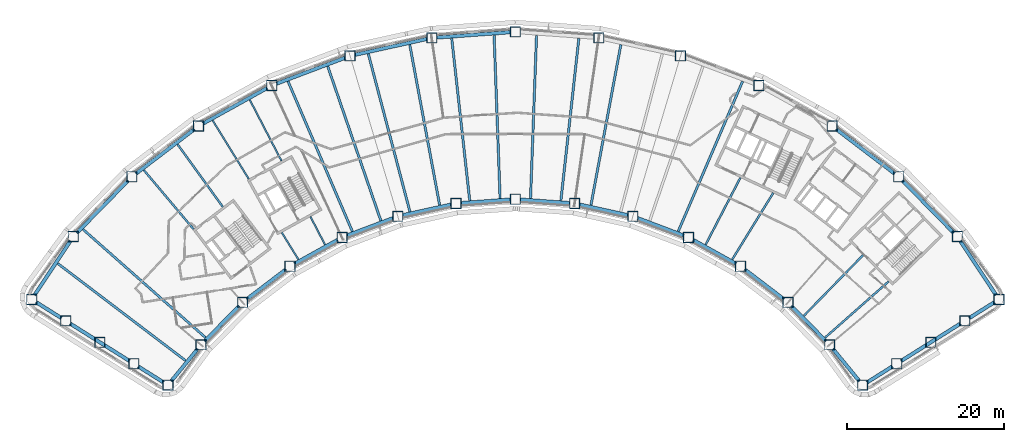
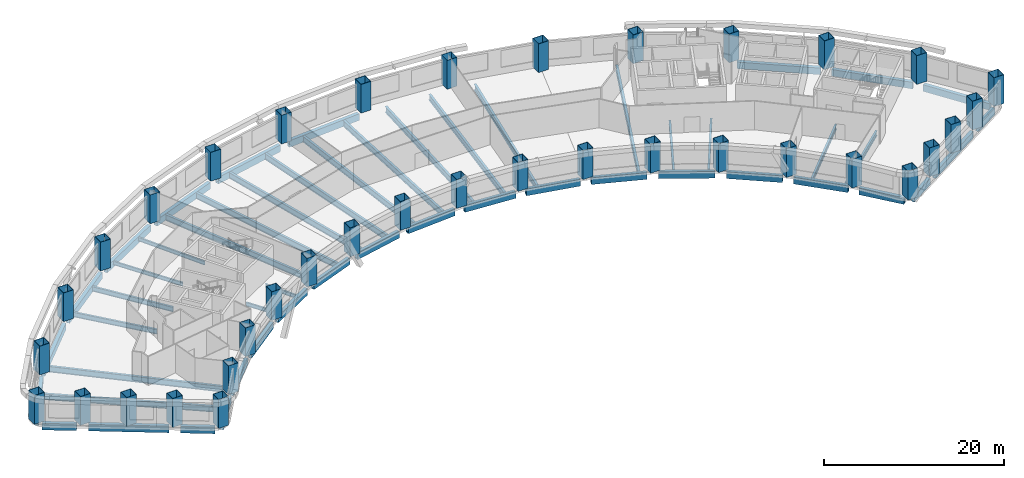
# One storey, part 1 of 14: 52 beams, 36 columns.
"""IFC4 building model written with IfcOpenShell, lengths in metres."""

import ifcopenshell
import ifcopenshell.guid

model = None  # the IFC model being written
_history = None  # IfcOwnerHistory: only IFC2X3 demands one
_inside = {}  # id of a spatial element -> (the spatial element, [elements in it])
_under = {}  # id of a project, library or spatial element -> (it, [spatial elements below it])
_declared = {}  # id of a project -> (the project, [libraries it declares])
_typed = {}  # id of a type object -> (the type object, [elements of that type])
_made_of = {}  # id of a material, layer set ... -> (it, [elements and type objects made of it])


def new_model(schema):
    """Start an empty IFC model of exactly this schema.

    Asked for "IFC4X3", IfcOpenShell would pick the latest addendum, in which some entities
    have other attributes; the version numbers below select the first issue.
    IFC2X3 requires an IfcOwnerHistory on every rooted entity: one is made here for all.
    """
    global model, _history
    if schema == "IFC4X3":
        model = ifcopenshell.file(schema_version=(4, 3, 0, 0))
    else:
        model = ifcopenshell.file(schema=schema)
    _inside.clear()
    _under.clear()
    _declared.clear()
    _typed.clear()
    _made_of.clear()
    _history = None
    if model.schema == "IFC2X3":
        org = make("IfcOrganization", Name="unknown")
        user = make(
            "IfcPersonAndOrganization",
            ThePerson=make("IfcPerson", FamilyName="unknown"),
            TheOrganization=org,
        )
        app = make(
            "IfcApplication",
            ApplicationDeveloper=org,
            Version="unknown",
            ApplicationFullName="unknown",
            ApplicationIdentifier="unknown",
        )
        _history = make(
            "IfcOwnerHistory",
            OwningUser=user,
            OwningApplication=app,
            ChangeAction="ADDED",
            CreationDate=0,
        )
    return model


def make(cls, **values):
    """One entity of the class cls with the attributes given. An attribute that is None is left unset."""
    return model.create_entity(
        cls, **{name: value for name, value in values.items() if value is not None}
    )


def rooted(cls, **values):
    """An entity with a GlobalId (a new one), such as an element, a storey or a relation."""
    return make(cls, GlobalId=ifcopenshell.guid.new(), OwnerHistory=_history, **values)


def si_unit(unit_type, name, prefix=None):
    """IfcSIUnit, for example si_unit("LENGTHUNIT", "METRE", prefix="MILLI")."""
    return make("IfcSIUnit", UnitType=unit_type, Prefix=prefix, Name=name)


def assignment(units):
    """IfcUnitAssignment: the units of a project."""
    return None if units is None else make("IfcUnitAssignment", Units=units)


def point(xyz):
    """IfcCartesianPoint."""
    return None if xyz is None else make("IfcCartesianPoint", Coordinates=xyz)


def direction(xyz):
    """IfcDirection."""
    return None if xyz is None else make("IfcDirection", DirectionRatios=xyz)


def frame(location, z_axis=None, x_axis=None):
    """IfcAxis2Placement3D, a coordinate frame: its origin and axes. An axis left out is left unset."""
    return make(
        "IfcAxis2Placement3D",
        Location=point(location),
        Axis=direction(z_axis),
        RefDirection=direction(x_axis),
    )


def frame_2d(location, x_axis=None):
    """IfcAxis2Placement2D, a coordinate frame in the plane: its origin and x axis."""
    return make(
        "IfcAxis2Placement2D", Location=point(location), RefDirection=direction(x_axis)
    )


def origin():
    """The frame at (0, 0, 0) with its axes left unset."""
    return frame((0.0, 0.0, 0.0))


def origin_2d():
    """The frame at (0, 0) in the plane with its x axis left unset."""
    return frame_2d((0.0, 0.0))


def place(relative_to, where):
    """IfcLocalPlacement: puts the frame where relative to a parent placement (None: the world)."""
    return make(
        "IfcLocalPlacement", PlacementRelTo=relative_to, RelativePlacement=where
    )


def context(
    kind, dimensions, precision=None, world=None, true_north=None, identifier=None
):
    """IfcGeometricRepresentationContext, for example the 3D "Model" context."""
    return make(
        "IfcGeometricRepresentationContext",
        ContextIdentifier=identifier,
        ContextType=kind,
        CoordinateSpaceDimension=dimensions,
        Precision=precision,
        WorldCoordinateSystem=world,
        TrueNorth=true_north,
    )


def subcontext(parent, identifier, kind, view, scale=None):
    """IfcGeometricRepresentationSubContext, for example "Body" below "Model"."""
    return make(
        "IfcGeometricRepresentationSubContext",
        ContextIdentifier=identifier,
        ContextType=kind,
        ParentContext=parent,
        TargetScale=scale,
        TargetView=view,
    )


def project(units=None, contexts=None):
    """IfcProject with its units and contexts."""
    return rooted(
        "IfcProject",
        Name="project",
        RepresentationContexts=contexts,
        UnitsInContext=assignment(units),
    )


def spatial(cls, under=None, at=None, **own):
    """A site, building, storey or space (cls), placed at a placement, below another one or the project."""
    s = rooted(cls, ObjectPlacement=at, **own)
    if under is not None:
        _under.setdefault(under.id(), (under, []))[1].append(s)
    return s


def profile(cls, at=None, kind="AREA", **sizes):
    """A parametric profile (cls). Its sizes go by their IFC names, for example OverallWidth=200.0."""
    return make(cls, ProfileType=kind, Position=at, **sizes)


def hollow_rectangle(**sizes):
    """IfcRectangleHollowProfileDef."""
    return profile("IfcRectangleHollowProfileDef", **sizes)


def i_section(**sizes):
    """IfcIShapeProfileDef."""
    return profile("IfcIShapeProfileDef", **sizes)


def extrude(swept, where, along, depth):
    """IfcExtrudedAreaSolid: the profile swept, set in the frame where, extruded along a direction by depth."""
    return make(
        "IfcExtrudedAreaSolid",
        SweptArea=swept,
        Position=where,
        ExtrudedDirection=direction(along),
        Depth=depth,
    )


def shape(context_of_items, identifier, shape_type, items):
    """IfcShapeRepresentation: the items that make up one representation, for example the "Body"."""
    return make(
        "IfcShapeRepresentation",
        ContextOfItems=context_of_items,
        RepresentationIdentifier=identifier,
        RepresentationType=shape_type,
        Items=items,
    )


def material(Name=None, Category=None):
    """IfcMaterial."""
    return make("IfcMaterial", Name=Name, Category=Category)


def material_profile(
    of_material, cross_section, Name=None, Category=None, Priority=None
):
    """IfcMaterialProfile: a cross section and its material."""
    return make(
        "IfcMaterialProfile",
        Name=Name,
        Material=of_material,
        Profile=cross_section,
        Priority=Priority,
        Category=Category,
    )


def profile_set(profiles, Name=None, composite=None):
    """IfcMaterialProfileSet."""
    return make(
        "IfcMaterialProfileSet",
        Name=Name,
        MaterialProfiles=profiles,
        CompositeProfile=composite,
    )


def made_of(thing, what):
    """Note that an element or type object is made of a material, layer set ...; save() writes the relation."""
    if what is not None:
        _made_of.setdefault(what.id(), (what, []))[1].append(thing)
    return thing


def type_object(cls, material=None, **own):
    """A type object (cls), such as IfcWallType, which elements share."""
    return made_of(rooted(cls, **own), material)


def element(
    cls,
    number,
    at=None,
    inside=None,
    cuts=None,
    type_object=None,
    material=None,
    context=None,
    identifier="Body",
    shape_type=None,
    held_by="IfcProductDefinitionShape",
    body=None,
    shapes=None,
    **own,
):
    """One element of the class cls, such as IfcWall. Its Tag is "e" and its number.

    at: its placement. inside: the storey or other place that contains it. cuts: it is an
    opening in that element (IfcRelVoidsElement). A single representation is given by context,
    identifier, shape_type and body (its items); several are given by shapes. held_by: the class
    of the entity that holds the representations. save() writes the other relations.
    """
    e = rooted(cls, Tag="e%d" % number, ObjectPlacement=at, **own)
    if body is not None:
        shapes = [shape(context, identifier, shape_type, body)]
    if shapes is not None:
        e.Representation = make(held_by, Representations=shapes)
    if inside is not None:
        _inside.setdefault(inside.id(), (inside, []))[1].append(e)
    if cuts is not None:
        rooted(
            "IfcRelVoidsElement", RelatingBuildingElement=cuts, RelatedOpeningElement=e
        )
    if type_object is not None:
        _typed.setdefault(type_object.id(), (type_object, []))[1].append(e)
    return made_of(e, material)


def aggregate(whole, parts):
    """IfcRelAggregates: a whole, such as a stair, and the parts it consists of."""
    return rooted("IfcRelAggregates", RelatingObject=whole, RelatedObjects=parts)


def save(model, path):
    """Write the relations noted so far, then the file.

    IfcRelAggregates (storeys below a building ...), IfcRelContainedInSpatialStructure (elements
    in a storey), IfcRelDefinesByType, IfcRelAssociatesMaterial and IfcRelDeclares: one each for
    every whole, place, type object, material and project.
    """
    for whole, parts in _under.values():
        aggregate(whole, parts)
    for where, things in _inside.values():
        rooted(
            "IfcRelContainedInSpatialStructure",
            RelatedElements=things,
            RelatingStructure=where,
        )
    for kind, things in _typed.values():
        rooted("IfcRelDefinesByType", RelatedObjects=things, RelatingType=kind)
    for what, things in _made_of.values():
        rooted("IfcRelAssociatesMaterial", RelatedObjects=things, RelatingMaterial=what)
    for by, libraries in _declared.values():
        rooted("IfcRelDeclares", RelatingContext=by, RelatedDefinitions=libraries)
    model.write(path)


model = new_model("IFC4")

# Units and contexts
model_context = context("Model", 3, precision=1e-05, world=origin(), true_north=direction((0.0, 1.0)))
body_context = subcontext(model_context, "Body", "Model", "MODEL_VIEW")
ifc_project = project(units=[si_unit("LENGTHUNIT", "METRE"), si_unit("AREAUNIT", "SQUARE_METRE"), si_unit("VOLUMEUNIT", "CUBIC_METRE"), si_unit("PLANEANGLEUNIT", "RADIAN"), si_unit("MASSUNIT", "GRAM", prefix="KILO")], contexts=[model_context])

# Site, building, storey
site_placement = place(None, origin())
site = spatial("IfcSite", under=ifc_project, at=site_placement, CompositionType="ELEMENT")
building_placement = place(site_placement, origin())
building = spatial("IfcBuilding", under=site, at=building_placement, Name="Tuul Gate Civic Tower", CompositionType="ELEMENT")
storey_placement = place(building_placement, frame((0.0, 0.0, 44.10009765625)))
storey = spatial("IfcBuildingStorey", under=building, at=storey_placement, Name="Level 09", CompositionType="ELEMENT", Elevation=44.10009765625)

# Columns
ifc_material_1 = material(Name="Steel S355", Category="steel")
ifc_material_profile_1 = material_profile(ifc_material_1, hollow_rectangle(XDim=1.300048828125, YDim=1.300048828125, WallThickness=0.0400390625, at=origin_2d()), Name="BOX1300x1300x40")
ifc_profile_set_1 = profile_set([ifc_material_profile_1], Name="Steel S355")
column_type = type_object("IfcColumnType", Name="STR-COLUMN-BOX1300x1300x40", PredefinedType="COLUMN", material=ifc_profile_set_1)
for number, where, z_axis, x_axis, name in (
    (1, (61.6708984375, -20.22998046875, 0.0), (0.0, 0.0, 1.0), (1.0, 0.0, 0.0), "Column"),
    (2, (56.3720703125, -12.217041015625, 0.0), (0.0, 0.0, 1.0), (1.0, 0.0, 0.0), "Column"),
    (3, (48.89794921875, -4.592041015625, 0.0), (0.0, 0.0, 1.0), (1.0, 0.0, 0.0), "Column"),
    (4, (40.402099609375, 1.8759765625, 0.0), (0.0, 0.0, 1.0), (1.0, 0.0, 0.0), "Column"),
    (5, (31.06396484375, 7.052001953125, 0.0), (0.0, 0.0, 1.0), (1.0, 0.0, 0.0), "Column"),
    (6, (21.076904296875, 10.8291015625, 0.0), (0.0, 0.0, 1.0), (1.0, 0.0, 0.0), "Column"),
    (7, (10.64892578125, 13.126953125, 0.0), (0.0, 0.0, 1.0), (1.0, 0.0, 0.0), "Column"),
    (8, (0.0, 13.89794921875, 0.0), (0.0, 0.0, 1.0), (1.0, 0.0, 0.0), "Column"),
    (9, (-10.64892578125, 13.126953125, 0.0), (0.0, 0.0, 1.0), (1.0, 0.0, 0.0), "Column"),
    (10, (-21.076904296875, 10.8291015625, 0.0), (0.0, 0.0, 1.0), (1.0, 0.0, 0.0), "Column"),
    (11, (-31.06396484375, 7.052001953125, 0.0), (0.0, 0.0, 1.0), (1.0, 0.0, 0.0), "Column"),
    (12, (-40.402099609375, 1.8759765625, 0.0), (0.0, 0.0, 1.0), (1.0, 0.0, 0.0), "Column"),
    (13, (-48.89794921875, -4.592041015625, 0.0), (0.0, 0.0, 1.0), (1.0, 0.0, 0.0), "Column"),
    (14, (-56.3720703125, -12.217041015625, 0.0), (0.0, 0.0, 1.0), (1.0, 0.0, 0.0), "Column"),
    (15, (-61.6708984375, -20.22998046875, 0.0), (0.0, 0.0, 1.0), (1.0, 0.0, 0.0), "Column"),
    (16, (-57.327880859375, -22.964111328125, 0.0), (0.0, 0.0, 1.0), (1.0, 0.0, 0.0), "Column"),
    (17, (-52.986083984375, -25.698974609375, 0.0), (0.0, 0.0, 1.0), (1.0, 0.0, 0.0), "Column"),
    (18, (-48.64306640625, -28.43408203125, 0.0), (0.0, 0.0, 1.0), (1.0, 0.0, 0.0), "Column"),
    (19, (-44.301025390625, -31.16796875, 0.0), (0.0, 0.0, 1.0), (1.0, 0.0, 0.0), "Column"),
    (20, (-40.0810546875, -26.02587890625, 0.0), (0.0, 0.0, 1.0), (1.0, 0.0, 0.0), "Column"),
    (21, (-34.76708984375, -20.60498046875, 0.0), (0.0, 0.0, 1.0), (1.0, 0.0, 0.0), "Column"),
    (22, (-28.72705078125, -16.006103515625, 0.0), (0.0, 0.0, 1.0), (1.0, 0.0, 0.0), "Column"),
    (23, (-22.0869140625, -12.324951171875, 0.0), (0.0, 0.0, 1.0), (1.0, 0.0, 0.0), "Column"),
    (24, (-14.986083984375, -9.639892578125, 0.0), (0.0, 0.0, 1.0), (1.0, 0.0, 0.0), "Column"),
    (25, (-7.572021484375, -8.006103515625, 0.0), (0.0, 0.0, 1.0), (1.0, 0.0, 0.0), "Column"),
    (26, (0.0, -7.45703125, 0.0), (0.0, 0.0, 1.0), (1.0, 0.0, 0.0), "Column"),
    (27, (7.572021484375, -8.006103515625, 0.0), (0.0, 0.0, 1.0), (1.0, 0.0, 0.0), "Column"),
    (28, (14.986083984375, -9.639892578125, 0.0), (0.0, 0.0, 1.0), (1.0, 0.0, 0.0), "Column"),
    (29, (22.0869140625, -12.324951171875, 0.0), (0.0, 0.0, 1.0), (1.0, 0.0, 0.0), "Column"),
    (30, (28.72705078125, -16.006103515625, 0.0), (0.0, 0.0, 1.0), (1.0, 0.0, 0.0), "Column"),
    (31, (34.76708984375, -20.60498046875, 0.0), (0.0, 0.0, 1.0), (1.0, 0.0, 0.0), "Column"),
    (32, (40.0810546875, -26.02587890625, 0.0), (0.0, 0.0, 1.0), (1.0, 0.0, 0.0), "Column"),
    (33, (44.301025390625, -31.16796875, 0.0), (0.0, 0.0, 1.0), (1.0, 0.0, 0.0), "Column"),
    (34, (48.64306640625, -28.43408203125, 0.0), (0.0, 0.0, 1.0), (1.0, 0.0, 0.0), "Column"),
    (35, (52.986083984375, -25.698974609375, 0.0), (0.0, 0.0, 1.0), (1.0, 0.0, 0.0), "Column"),
    (36, (57.327880859375, -22.964111328125, 0.0), (0.0, 0.0, 1.0), (1.0, 0.0, 0.0), "Column"),
):
    element("IfcColumn", number, at=place(storey_placement, frame(where, z_axis=z_axis, x_axis=x_axis)), inside=storey, type_object=column_type, Name=name, PredefinedType="COLUMN", context=body_context, shape_type="SweptSolid", body=[
        extrude(hollow_rectangle(XDim=1.300048828125, YDim=1.300048828125, WallThickness=0.0400390625, at=origin_2d()), origin(), (0.0, 0.0, 1.0), 3.89990234375),
    ])

# Beams
ifc_material_2 = material(Name="Steel S355", Category="steel")
ifc_material_profile_2 = material_profile(ifc_material_2, i_section(OverallWidth=0.199951171875, OverallDepth=0.5, WebThickness=0.010009765625, FlangeThickness=0.01611328125, at=origin_2d()), Name="PG500x200x10x16")
ifc_profile_set_2 = profile_set([ifc_material_profile_2], Name="Steel S355")
beam_type_1 = type_object("IfcBeamType", Name="STR-FLOOR BEAM-PG500x200x10x16", PredefinedType="BEAM", material=ifc_profile_set_2)
beam_1_placement = place(storey_placement, frame((-24.271484375, -13.25, -0.550048828125), z_axis=(-0.460753800017, 0.887527991541, 0.0), x_axis=(-0.887527991541, -0.460753800017, 0.0)))
element("IfcBeam", 37, at=beam_1_placement, inside=storey, type_object=beam_type_1, Name="Floor beam", PredefinedType="BEAM", context=body_context, shape_type="SweptSolid", body=[
    extrude(i_section(OverallWidth=0.199951171875, OverallDepth=0.5, WebThickness=0.010009765625, FlangeThickness=0.01611328125, at=origin_2d()), origin(), (0.0, 0.0, 1.0), 4.03076171875),
])
beam_2_placement = place(storey_placement, frame((-29.816162109375, -2.570068359375, -0.550048828125), z_axis=(-0.460796303888, 0.887505924669, 0.0), x_axis=(-0.887505924669, -0.460796303888, 0.0)))
element("IfcBeam", 38, at=beam_2_placement, inside=storey, type_object=beam_type_1, Name="Floor beam", PredefinedType="BEAM", context=body_context, shape_type="SweptSolid", body=[
    extrude(i_section(OverallWidth=0.199951171875, OverallDepth=0.5, WebThickness=0.010009765625, FlangeThickness=0.01611328125, at=origin_2d()), origin(), (0.0, 0.0, 1.0), 8.77392578125),
])
beam_3_placement = place(storey_placement, frame((-27.666015625, -15.132080078125, -0.550048828125), z_axis=(-0.52482658642, 0.851209171818, 0.0), x_axis=(-0.851209171818, -0.52482658642, 0.0)))
element("IfcBeam", 39, at=beam_3_placement, inside=storey, type_object=beam_type_1, Name="Floor beam", PredefinedType="BEAM", context=body_context, shape_type="SweptSolid", body=[
    extrude(i_section(OverallWidth=0.199951171875, OverallDepth=0.5, WebThickness=0.010009765625, FlangeThickness=0.01611328125, at=origin_2d()), origin(), (0.0, 0.0, 1.0), 4.0341796875),
])
beam_4_placement = place(storey_placement, frame((-33.986572265625, -4.881591796875, -0.550048828125), z_axis=(-0.524852775892, 0.851193023725, 0.0), x_axis=(-0.851193023725, -0.524852775892, 0.0)))
element("IfcBeam", 40, at=beam_4_placement, inside=storey, type_object=beam_type_1, Name="Floor beam", PredefinedType="BEAM", context=body_context, shape_type="SweptSolid", body=[
    extrude(i_section(OverallWidth=0.199951171875, OverallDepth=0.5, WebThickness=0.010009765625, FlangeThickness=0.01611328125, at=origin_2d()), origin(), (0.0, 0.0, 1.0), 8.77978515625),
])
ifc_material_3 = material(Name="Steel S355", Category="steel")
ifc_material_profile_3 = material_profile(ifc_material_3, i_section(OverallWidth=0.25, OverallDepth=0.64990234375, WebThickness=0.011962890625, FlangeThickness=0.02001953125, at=origin_2d()), Name="PG650x250x12x20")
ifc_profile_set_3 = profile_set([ifc_material_profile_3], Name="Steel S355")
beam_type_2 = type_object("IfcBeamType", Name="STR-FLOOR BEAM-PG650x250x12x20", PredefinedType="BEAM", material=ifc_profile_set_3)
beam_5_placement = place(storey_placement, frame((39.515625, -25.092041015625, -0.625), z_axis=(0.749453803996, 0.662056640836, 0.0), x_axis=(-0.662056640836, 0.749453803996, 0.0)))
element("IfcBeam", 41, at=beam_5_placement, inside=storey, type_object=beam_type_2, Name="Floor beam", PredefinedType="BEAM", context=body_context, shape_type="SweptSolid", body=[
    extrude(i_section(OverallWidth=0.25, OverallDepth=0.64990234375, WebThickness=0.011962890625, FlangeThickness=0.02001953125, at=origin_2d()), origin(), (0.0, 0.0, 1.0), 10.819091796875),
])
beam_6_placement = place(storey_placement, frame((36.79833984375, -22.320068359375, -0.625), z_axis=(0.69867607041, 0.71543815151, 0.0), x_axis=(-0.71543815151, 0.69867607041, 0.0)))
element("IfcBeam", 42, at=beam_6_placement, inside=storey, type_object=beam_type_2, Name="Floor beam", PredefinedType="BEAM", context=body_context, shape_type="SweptSolid", body=[
    extrude(i_section(OverallWidth=0.25, OverallDepth=0.64990234375, WebThickness=0.011962890625, FlangeThickness=0.02001953125, at=origin_2d()), origin(), (0.0, 0.0, 1.0), 10.807373046875),
])
beam_7_placement = place(storey_placement, frame((27.666015625, -15.132080078125, -0.625), z_axis=(0.524860290861, 0.851188389886, 0.0), x_axis=(-0.851188389886, 0.524860290861, 0.0)))
element("IfcBeam", 43, at=beam_7_placement, inside=storey, type_object=beam_type_2, Name="Floor beam", PredefinedType="BEAM", context=body_context, shape_type="SweptSolid", body=[
    extrude(i_section(OverallWidth=0.25, OverallDepth=0.64990234375, WebThickness=0.011962890625, FlangeThickness=0.02001953125, at=origin_2d()), origin(), (0.0, 0.0, 1.0), 9.960693359375),
])
beam_8_placement = place(storey_placement, frame((24.271484375, -13.25, -0.625), z_axis=(0.460769194318, 0.887519999531, 0.0), x_axis=(-0.887519999531, 0.460769194318, 0.0)))
element("IfcBeam", 44, at=beam_8_placement, inside=storey, type_object=beam_type_2, Name="Floor beam", PredefinedType="BEAM", context=body_context, shape_type="SweptSolid", body=[
    extrude(i_section(OverallWidth=0.25, OverallDepth=0.64990234375, WebThickness=0.011962890625, FlangeThickness=0.02001953125, at=origin_2d()), origin(), (0.0, 0.0, 1.0), 9.631103515625),
])
beam_9_placement = place(storey_placement, frame((-37.289794921875, -8.447265625, -0.625), z_axis=(-0.586084828099, 0.810249698717, 0.0), x_axis=(-0.810249698717, -0.586084828099, 0.0)))
element("IfcBeam", 45, at=beam_9_placement, inside=storey, type_object=beam_type_2, Name="Floor beam", PredefinedType="BEAM", context=body_context, shape_type="SweptSolid", body=[
    extrude(i_section(OverallWidth=0.25, OverallDepth=0.64990234375, WebThickness=0.011962890625, FlangeThickness=0.02001953125, at=origin_2d()), origin(), (0.0, 0.0, 1.0), 9.85205078125),
])
beam_10_placement = place(storey_placement, frame((-41.0205078125, -11.28759765625, -0.625), z_axis=(-0.64412583455, 0.764919544308, 0.0), x_axis=(-0.764919544308, -0.64412583455, 0.0)))
element("IfcBeam", 46, at=beam_10_placement, inside=storey, type_object=beam_type_2, Name="Floor beam", PredefinedType="BEAM", context=body_context, shape_type="SweptSolid", body=[
    extrude(i_section(OverallWidth=0.25, OverallDepth=0.64990234375, WebThickness=0.011962890625, FlangeThickness=0.02001953125, at=origin_2d()), origin(), (0.0, 0.0, 1.0), 9.861083984375),
])
ifc_material_4 = material(Name="Steel S355", Category="steel")
ifc_material_profile_4 = material_profile(ifc_material_4, i_section(OverallWidth=0.300048828125, OverallDepth=0.800048828125, WebThickness=0.013916015625, FlangeThickness=0.02490234375, at=origin_2d()), Name="PG800x300x14x25")
ifc_profile_set_4 = profile_set([ifc_material_profile_4], Name="Steel S355")
beam_type_3 = type_object("IfcBeamType", Name="STR-FLOOR BEAM-PG800x300x14x25", PredefinedType="BEAM", material=ifc_profile_set_4)
beam_11_placement = place(storey_placement, frame((20.776611328125, -11.562255859375, -0.7001953125), z_axis=(0.394196672068, 0.91902610612, 0.0), x_axis=(-0.91902610612, 0.394196672068, 0.0)))
element("IfcBeam", 47, at=beam_11_placement, inside=storey, type_object=beam_type_3, Name="Floor beam", PredefinedType="BEAM", context=body_context, shape_type="SweptSolid", body=[
    extrude(i_section(OverallWidth=0.300048828125, OverallDepth=0.800048828125, WebThickness=0.013916015625, FlangeThickness=0.02490234375, at=origin_2d()), origin(), (0.0, 0.0, 1.0), 20.819580078125),
])
beam_12_placement = place(storey_placement, frame((9.6484375, -8.207763671875, -0.7001953125), z_axis=(0.183147342328, 0.98308547492, 0.0), x_axis=(-0.98308547492, 0.183147342328, 0.0)))
element("IfcBeam", 48, at=beam_12_placement, inside=storey, type_object=beam_type_3, Name="Floor beam", PredefinedType="BEAM", context=body_context, shape_type="SweptSolid", body=[
    extrude(i_section(OverallWidth=0.300048828125, OverallDepth=0.800048828125, WebThickness=0.013916015625, FlangeThickness=0.02490234375, at=origin_2d()), origin(), (0.0, 0.0, 1.0), 20.811279296875),
])
beam_13_placement = place(storey_placement, frame((5.811279296875, -7.627685546875, -0.7001953125), z_axis=(0.110288630292, 0.993899601584, 0.0), x_axis=(-0.993899601584, 0.110288630292, 0.0)))
element("IfcBeam", 49, at=beam_13_placement, inside=storey, type_object=beam_type_3, Name="Floor beam", PredefinedType="BEAM", context=body_context, shape_type="SweptSolid", body=[
    extrude(i_section(OverallWidth=0.300048828125, OverallDepth=0.800048828125, WebThickness=0.013916015625, FlangeThickness=0.02490234375, at=origin_2d()), origin(), (0.0, 0.0, 1.0), 20.81494140625),
])
for number, where, z_axis, x_axis, name in (
    (50, (1.9404296875, -7.346923828125, -0.7001953125), (0.036822059508, 0.999321838015, 0.0), (-0.999321838015, 0.036822059508, 0.0), "Floor beam"),
    (51, (-1.9404296875, -7.346923828125, -0.7001953125), (-0.036822059508, 0.999321838015, 0.0), (-0.999321838015, -0.036822059508, 0.0), "Floor beam"),
):
    element("IfcBeam", number, at=place(storey_placement, frame(where, z_axis=z_axis, x_axis=x_axis)), inside=storey, type_object=beam_type_3, Name=name, PredefinedType="BEAM", context=body_context, shape_type="SweptSolid", body=[
        extrude(i_section(OverallWidth=0.300048828125, OverallDepth=0.800048828125, WebThickness=0.013916015625, FlangeThickness=0.02490234375, at=origin_2d()), origin(), (0.0, 0.0, 1.0), 20.8125),
    ])
beam_14_placement = place(storey_placement, frame((-5.811279296875, -7.627685546875, -0.7001953125), z_axis=(-0.110288630292, 0.993899601584, 0.0), x_axis=(-0.993899601584, -0.110288630292, 0.0)))
element("IfcBeam", 52, at=beam_14_placement, inside=storey, type_object=beam_type_3, Name="Floor beam", PredefinedType="BEAM", context=body_context, shape_type="SweptSolid", body=[
    extrude(i_section(OverallWidth=0.300048828125, OverallDepth=0.800048828125, WebThickness=0.013916015625, FlangeThickness=0.02490234375, at=origin_2d()), origin(), (0.0, 0.0, 1.0), 20.81494140625),
])
beam_15_placement = place(storey_placement, frame((-9.6484375, -8.207763671875, -0.7001953125), z_axis=(-0.183147342328, 0.98308547492, 0.0), x_axis=(-0.98308547492, -0.183147342328, 0.0)))
element("IfcBeam", 53, at=beam_15_placement, inside=storey, type_object=beam_type_3, Name="Floor beam", PredefinedType="BEAM", context=body_context, shape_type="SweptSolid", body=[
    extrude(i_section(OverallWidth=0.300048828125, OverallDepth=0.800048828125, WebThickness=0.013916015625, FlangeThickness=0.02490234375, at=origin_2d()), origin(), (0.0, 0.0, 1.0), 20.811279296875),
])
beam_16_placement = place(storey_placement, frame((-13.438720703125, -9.04296875, -0.7001953125), z_axis=(-0.255004720301, 0.96693980817, 0.0), x_axis=(-0.96693980817, -0.255004720301, 0.0)))
element("IfcBeam", 54, at=beam_16_placement, inside=storey, type_object=beam_type_3, Name="Floor beam", PredefinedType="BEAM", context=body_context, shape_type="SweptSolid", body=[
    extrude(i_section(OverallWidth=0.300048828125, OverallDepth=0.800048828125, WebThickness=0.013916015625, FlangeThickness=0.02490234375, at=origin_2d()), origin(), (0.0, 0.0, 1.0), 20.817626953125),
])
beam_17_placement = place(storey_placement, frame((-17.146240234375, -10.189453125, -0.7001953125), z_axis=(-0.325486974479, 0.945546524209, 0.0), x_axis=(-0.945546524209, -0.325486974479, 0.0)))
element("IfcBeam", 55, at=beam_17_placement, inside=storey, type_object=beam_type_3, Name="Floor beam", PredefinedType="BEAM", context=body_context, shape_type="SweptSolid", body=[
    extrude(i_section(OverallWidth=0.300048828125, OverallDepth=0.800048828125, WebThickness=0.013916015625, FlangeThickness=0.02490234375, at=origin_2d()), origin(), (0.0, 0.0, 1.0), 20.809326171875),
])
beam_18_placement = place(storey_placement, frame((-20.776611328125, -11.562255859375, -0.7001953125), z_axis=(-0.394196672068, 0.91902610612, 0.0), x_axis=(-0.91902610612, -0.394196672068, 0.0)))
element("IfcBeam", 56, at=beam_18_placement, inside=storey, type_object=beam_type_3, Name="Floor beam", PredefinedType="BEAM", context=body_context, shape_type="SweptSolid", body=[
    extrude(i_section(OverallWidth=0.300048828125, OverallDepth=0.800048828125, WebThickness=0.013916015625, FlangeThickness=0.02490234375, at=origin_2d()), origin(), (0.0, 0.0, 1.0), 20.819580078125),
])
beam_19_placement = place(storey_placement, frame((-39.515625, -25.092041015625, -0.7001953125), z_axis=(-0.749453243269, 0.662057275584, 0.0), x_axis=(-0.662057275584, -0.749453243269, 0.0)))
element("IfcBeam", 57, at=beam_19_placement, inside=storey, type_object=beam_type_3, Name="Floor beam", PredefinedType="BEAM", context=body_context, shape_type="SweptSolid", body=[
    extrude(i_section(OverallWidth=0.300048828125, OverallDepth=0.800048828125, WebThickness=0.013916015625, FlangeThickness=0.02490234375, at=origin_2d()), origin(), (0.0, 0.0, 1.0), 20.828369140625),
])
beam_20_placement = place(storey_placement, frame((-42.0546875, -28.036865234375, -0.7001953125), z_axis=(-0.796150928405, 0.60509809056, 0.0), x_axis=(-0.60509809056, -0.796150928405, 0.0)))
element("IfcBeam", 58, at=beam_20_placement, inside=storey, type_object=beam_type_3, Name="Floor beam", PredefinedType="BEAM", context=body_context, shape_type="SweptSolid", body=[
    extrude(i_section(OverallWidth=0.300048828125, OverallDepth=0.800048828125, WebThickness=0.013916015625, FlangeThickness=0.02490234375, at=origin_2d()), origin(), (0.0, 0.0, 1.0), 20.462646484375),
])
ifc_material_5 = material(Name="Steel S355", Category="steel")
ifc_material_profile_5 = material_profile(ifc_material_5, hollow_rectangle(XDim=0.449951171875, YDim=0.89990234375, WallThickness=0.02490234375, at=origin_2d()), Name="BOX900x450x25")
ifc_profile_set_5 = profile_set([ifc_material_profile_5], Name="Steel S355")
beam_type_4 = type_object("IfcBeamType", Name="STR-SPANDREL BEAM-BOX900x450x25", PredefinedType="BEAM", material=ifc_profile_set_5)
beam_21_placement = place(storey_placement, frame((61.3125, -19.687744140625, -0.75), z_axis=(-0.551617087086, 0.834097469865, 0.0), x_axis=(-0.834097469865, -0.551617087086, 0.0)))
element("IfcBeam", 59, at=beam_21_placement, inside=storey, type_object=beam_type_4, Name="Spandrel beam", PredefinedType="BEAM", context=body_context, shape_type="SweptSolid", body=[
    extrude(hollow_rectangle(XDim=0.449951171875, YDim=0.89990234375, WallThickness=0.02490234375, at=origin_2d()), origin(), (0.0, 0.0, 1.0), 8.306640625),
])
beam_22_placement = place(storey_placement, frame((55.9169921875, -11.752685546875, -0.75), z_axis=(-0.700002686238, 0.714140209805, 0.0), x_axis=(-0.714140209805, -0.700002686238, 0.0)))
element("IfcBeam", 60, at=beam_22_placement, inside=storey, type_object=beam_type_4, Name="Spandrel beam", PredefinedType="BEAM", context=body_context, shape_type="SweptSolid", body=[
    extrude(hollow_rectangle(XDim=0.449951171875, YDim=0.89990234375, WallThickness=0.02490234375, at=origin_2d()), origin(), (0.0, 0.0, 1.0), 9.376953125),
])
beam_23_placement = place(storey_placement, frame((48.380859375, -4.1982421875, -0.75), z_axis=(-0.795671303352, 0.605728633154, 0.0), x_axis=(-0.605728633154, -0.795671303352, 0.0)))
element("IfcBeam", 61, at=beam_23_placement, inside=storey, type_object=beam_type_4, Name="Spandrel beam", PredefinedType="BEAM", context=body_context, shape_type="SweptSolid", body=[
    extrude(hollow_rectangle(XDim=0.449951171875, YDim=0.89990234375, WallThickness=0.02490234375, at=origin_2d()), origin(), (0.0, 0.0, 1.0), 9.3779296875),
])
beam_24_placement = place(storey_placement, frame((-0.648193359375, 13.85107421875, -0.75), z_axis=(-0.997388439542, -0.072223961869, 0.0), x_axis=(0.072223961869, -0.997388439542, 0.0)))
element("IfcBeam", 62, at=beam_24_placement, inside=storey, type_object=beam_type_4, Name="Spandrel beam", PredefinedType="BEAM", context=body_context, shape_type="SweptSolid", body=[
    extrude(hollow_rectangle(XDim=0.449951171875, YDim=0.89990234375, WallThickness=0.02490234375, at=origin_2d()), origin(), (0.0, 0.0, 1.0), 9.376953125),
])
beam_25_placement = place(storey_placement, frame((-11.28369140625, 12.987060546875, -0.75), z_axis=(-0.976572630495, -0.215188051174, 0.0), x_axis=(0.215188051174, -0.976572630495, 0.0)))
element("IfcBeam", 63, at=beam_25_placement, inside=storey, type_object=beam_type_4, Name="Spandrel beam", PredefinedType="BEAM", context=body_context, shape_type="SweptSolid", body=[
    extrude(hollow_rectangle(XDim=0.449951171875, YDim=0.89990234375, WallThickness=0.02490234375, at=origin_2d()), origin(), (0.0, 0.0, 1.0), 9.378173828125),
])
beam_26_placement = place(storey_placement, frame((-21.68505859375, 10.59912109375, -0.75), z_axis=(-0.935343306637, -0.353741287849, 0.0), x_axis=(0.353741287849, -0.935343306637, 0.0)))
element("IfcBeam", 64, at=beam_26_placement, inside=storey, type_object=beam_type_4, Name="Spandrel beam", PredefinedType="BEAM", context=body_context, shape_type="SweptSolid", body=[
    extrude(hollow_rectangle(XDim=0.449951171875, YDim=0.89990234375, WallThickness=0.02490234375, at=origin_2d()), origin(), (0.0, 0.0, 1.0), 9.377197265625),
])
beam_27_placement = place(storey_placement, frame((-31.632568359375, 6.73681640625, -0.75), z_axis=(-0.874628488078, -0.484793778676, 0.0), x_axis=(0.484793778676, -0.874628488078, 0.0)))
element("IfcBeam", 65, at=beam_27_placement, inside=storey, type_object=beam_type_4, Name="Spandrel beam", PredefinedType="BEAM", context=body_context, shape_type="SweptSolid", body=[
    extrude(hollow_rectangle(XDim=0.449951171875, YDim=0.89990234375, WallThickness=0.02490234375, at=origin_2d()), origin(), (0.0, 0.0, 1.0), 9.37646484375),
])
beam_28_placement = place(storey_placement, frame((-40.919189453125, 1.482177734375, -0.75), z_axis=(-0.795671303352, -0.605728633154, 0.0), x_axis=(0.605728633154, -0.795671303352, 0.0)))
element("IfcBeam", 66, at=beam_28_placement, inside=storey, type_object=beam_type_4, Name="Spandrel beam", PredefinedType="BEAM", context=body_context, shape_type="SweptSolid", body=[
    extrude(hollow_rectangle(XDim=0.449951171875, YDim=0.89990234375, WallThickness=0.02490234375, at=origin_2d()), origin(), (0.0, 0.0, 1.0), 9.3779296875),
])
beam_29_placement = place(storey_placement, frame((-49.35302734375, -5.05615234375, -0.75), z_axis=(-0.700002686238, -0.714140209805, 0.0), x_axis=(0.714140209805, -0.700002686238, 0.0)))
element("IfcBeam", 67, at=beam_29_placement, inside=storey, type_object=beam_type_4, Name="Spandrel beam", PredefinedType="BEAM", context=body_context, shape_type="SweptSolid", body=[
    extrude(hollow_rectangle(XDim=0.449951171875, YDim=0.89990234375, WallThickness=0.02490234375, at=origin_2d()), origin(), (0.0, 0.0, 1.0), 9.376953125),
])
beam_30_placement = place(storey_placement, frame((-56.73046875, -12.75927734375, -0.75), z_axis=(-0.551617087086, -0.834097469865, 0.0), x_axis=(0.834097469865, -0.551617087086, 0.0)))
element("IfcBeam", 68, at=beam_30_placement, inside=storey, type_object=beam_type_4, Name="Spandrel beam", PredefinedType="BEAM", context=body_context, shape_type="SweptSolid", body=[
    extrude(hollow_rectangle(XDim=0.449951171875, YDim=0.89990234375, WallThickness=0.02490234375, at=origin_2d()), origin(), (0.0, 0.0, 1.0), 8.306640625),
])
beam_31_placement = place(storey_placement, frame((-61.120849609375, -20.576171875, -0.75), z_axis=(0.84625411926, -0.53277947186, 0.0), x_axis=(0.53277947186, 0.84625411926, 0.0)))
element("IfcBeam", 69, at=beam_31_placement, inside=storey, type_object=beam_type_4, Name="Spandrel beam", PredefinedType="BEAM", context=body_context, shape_type="SweptSolid", body=[
    extrude(hollow_rectangle(XDim=0.449951171875, YDim=0.89990234375, WallThickness=0.02490234375, at=origin_2d()), origin(), (0.0, 0.0, 1.0), 3.831787109375),
])
beam_32_placement = place(storey_placement, frame((-56.778076171875, -23.310302734375, -0.75), z_axis=(0.846150963227, -0.532943287255, 0.0), x_axis=(0.532943287255, 0.846150963227, 0.0)))
element("IfcBeam", 70, at=beam_32_placement, inside=storey, type_object=beam_type_4, Name="Spandrel beam", PredefinedType="BEAM", context=body_context, shape_type="SweptSolid", body=[
    extrude(hollow_rectangle(XDim=0.449951171875, YDim=0.89990234375, WallThickness=0.02490234375, at=origin_2d()), origin(), (0.0, 0.0, 1.0), 8.964111328125),
])
beam_33_placement = place(storey_placement, frame((-48.093017578125, -28.7802734375, -0.75), z_axis=(0.846199849372, -0.532865663111, 0.0), x_axis=(0.532865663111, 0.846199849372, 0.0)))
element("IfcBeam", 71, at=beam_33_placement, inside=storey, type_object=beam_type_4, Name="Spandrel beam", PredefinedType="BEAM", context=body_context, shape_type="SweptSolid", body=[
    extrude(hollow_rectangle(XDim=0.449951171875, YDim=0.89990234375, WallThickness=0.02490234375, at=origin_2d()), origin(), (0.0, 0.0, 1.0), 3.831298828125),
])
beam_34_placement = place(storey_placement, frame((-43.888671875, -30.66552734375, -0.75), z_axis=(0.634409581781, 0.772997077966, 0.0), x_axis=(-0.772997077966, 0.634409581781, 0.0)))
element("IfcBeam", 72, at=beam_34_placement, inside=storey, type_object=beam_type_4, Name="Spandrel beam", PredefinedType="BEAM", context=body_context, shape_type="SweptSolid", body=[
    extrude(hollow_rectangle(XDim=0.449951171875, YDim=0.89990234375, WallThickness=0.02490234375, at=origin_2d()), origin(), (0.0, 0.0, 1.0), 5.351806640625),
])
beam_35_placement = place(storey_placement, frame((-39.6259765625, -25.561767578125, -0.75), z_axis=(0.700028343012, 0.714115060043, 0.0), x_axis=(-0.714115060043, 0.700028343012, 0.0)))
element("IfcBeam", 73, at=beam_35_placement, inside=storey, type_object=beam_type_4, Name="Spandrel beam", PredefinedType="BEAM", context=body_context, shape_type="SweptSolid", body=[
    extrude(hollow_rectangle(XDim=0.449951171875, YDim=0.89990234375, WallThickness=0.02490234375, at=origin_2d()), origin(), (0.0, 0.0, 1.0), 6.291259765625),
])
beam_36_placement = place(storey_placement, frame((-34.249755859375, -20.211181640625, -0.75), z_axis=(0.795606278915, 0.605814038259, 0.0), x_axis=(-0.605814038259, 0.795606278915, 0.0)))
element("IfcBeam", 74, at=beam_36_placement, inside=storey, type_object=beam_type_4, Name="Spandrel beam", PredefinedType="BEAM", context=body_context, shape_type="SweptSolid", body=[
    extrude(hollow_rectangle(XDim=0.449951171875, YDim=0.89990234375, WallThickness=0.02490234375, at=origin_2d()), origin(), (0.0, 0.0, 1.0), 6.29150390625),
])
beam_37_placement = place(storey_placement, frame((-28.158447265625, -15.69091796875, -0.75), z_axis=(0.874588873098, 0.484865242158, 0.0), x_axis=(-0.484865242158, 0.874588873098, 0.0)))
element("IfcBeam", 75, at=beam_37_placement, inside=storey, type_object=beam_type_4, Name="Spandrel beam", PredefinedType="BEAM", context=body_context, shape_type="SweptSolid", body=[
    extrude(hollow_rectangle(XDim=0.449951171875, YDim=0.89990234375, WallThickness=0.02490234375, at=origin_2d()), origin(), (0.0, 0.0, 1.0), 6.2919921875),
])
beam_38_placement = place(storey_placement, frame((-21.47900390625, -12.09521484375, -0.75), z_axis=(0.93536086851, 0.353694848225, 0.0), x_axis=(-0.353694848225, 0.93536086851, 0.0)))
element("IfcBeam", 76, at=beam_38_placement, inside=storey, type_object=beam_type_4, Name="Spandrel beam", PredefinedType="BEAM", context=body_context, shape_type="SweptSolid", body=[
    extrude(hollow_rectangle(XDim=0.449951171875, YDim=0.89990234375, WallThickness=0.02490234375, at=origin_2d()), origin(), (0.0, 0.0, 1.0), 6.291748046875),
])
beam_39_placement = place(storey_placement, frame((-14.351318359375, -9.5, -0.75), z_axis=(0.976570802394, 0.215196347349, 0.0), x_axis=(-0.215196347349, 0.976570802394, 0.0)))
element("IfcBeam", 77, at=beam_39_placement, inside=storey, type_object=beam_type_4, Name="Spandrel beam", PredefinedType="BEAM", context=body_context, shape_type="SweptSolid", body=[
    extrude(hollow_rectangle(XDim=0.449951171875, YDim=0.89990234375, WallThickness=0.02490234375, at=origin_2d()), origin(), (0.0, 0.0, 1.0), 6.2919921875),
])
for number, where, z_axis, x_axis, name in (
    (78, (-6.923583984375, -7.958984375, -0.75), (0.997380902931, 0.072327964638, 0.0), (-0.072327964638, 0.997380902931, 0.0), "Spandrel beam"),
    (79, (0.648193359375, -7.50390625, -0.75), (0.997380902931, -0.072327964638, 0.0), (0.072327964638, 0.997380902931, 0.0), "Spandrel beam"),
):
    element("IfcBeam", number, at=place(storey_placement, frame(where, z_axis=z_axis, x_axis=x_axis)), inside=storey, type_object=beam_type_4, Name=name, PredefinedType="BEAM", context=body_context, shape_type="SweptSolid", body=[
        extrude(hollow_rectangle(XDim=0.449951171875, YDim=0.89990234375, WallThickness=0.02490234375, at=origin_2d()), origin(), (0.0, 0.0, 1.0), 6.291748046875),
    ])
beam_40_placement = place(storey_placement, frame((8.206787109375, -8.14599609375, -0.75), z_axis=(0.976570802394, -0.215196347349, 0.0), x_axis=(0.215196347349, 0.976570802394, 0.0)))
element("IfcBeam", 80, at=beam_40_placement, inside=storey, type_object=beam_type_4, Name="Spandrel beam", PredefinedType="BEAM", context=body_context, shape_type="SweptSolid", body=[
    extrude(hollow_rectangle(XDim=0.449951171875, YDim=0.89990234375, WallThickness=0.02490234375, at=origin_2d()), origin(), (0.0, 0.0, 1.0), 6.2919921875),
])
beam_41_placement = place(storey_placement, frame((15.593994140625, -9.869873046875, -0.75), z_axis=(0.93536086851, -0.353694848225, 0.0), x_axis=(0.353694848225, 0.93536086851, 0.0)))
element("IfcBeam", 81, at=beam_41_placement, inside=storey, type_object=beam_type_4, Name="Spandrel beam", PredefinedType="BEAM", context=body_context, shape_type="SweptSolid", body=[
    extrude(hollow_rectangle(XDim=0.449951171875, YDim=0.89990234375, WallThickness=0.02490234375, at=origin_2d()), origin(), (0.0, 0.0, 1.0), 6.291748046875),
])
beam_42_placement = place(storey_placement, frame((22.655517578125, -12.64013671875, -0.75), z_axis=(0.874588873098, -0.484865242158, 0.0), x_axis=(0.484865242158, 0.874588873098, 0.0)))
element("IfcBeam", 82, at=beam_42_placement, inside=storey, type_object=beam_type_4, Name="Spandrel beam", PredefinedType="BEAM", context=body_context, shape_type="SweptSolid", body=[
    extrude(hollow_rectangle(XDim=0.449951171875, YDim=0.89990234375, WallThickness=0.02490234375, at=origin_2d()), origin(), (0.0, 0.0, 1.0), 6.2919921875),
])
beam_43_placement = place(storey_placement, frame((29.244140625, -16.399658203125, -0.75), z_axis=(0.795606278915, -0.605814038259, 0.0), x_axis=(0.605814038259, 0.795606278915, 0.0)))
element("IfcBeam", 83, at=beam_43_placement, inside=storey, type_object=beam_type_4, Name="Spandrel beam", PredefinedType="BEAM", context=body_context, shape_type="SweptSolid", body=[
    extrude(hollow_rectangle(XDim=0.449951171875, YDim=0.89990234375, WallThickness=0.02490234375, at=origin_2d()), origin(), (0.0, 0.0, 1.0), 6.29150390625),
])
beam_44_placement = place(storey_placement, frame((35.221923828125, -21.069091796875, -0.75), z_axis=(0.700028343012, -0.714115060043, 0.0), x_axis=(0.714115060043, 0.700028343012, 0.0)))
element("IfcBeam", 84, at=beam_44_placement, inside=storey, type_object=beam_type_4, Name="Spandrel beam", PredefinedType="BEAM", context=body_context, shape_type="SweptSolid", body=[
    extrude(hollow_rectangle(XDim=0.449951171875, YDim=0.89990234375, WallThickness=0.02490234375, at=origin_2d()), origin(), (0.0, 0.0, 1.0), 6.291259765625),
])
beam_45_placement = place(storey_placement, frame((40.493408203125, -26.528564453125, -0.75), z_axis=(0.634409581781, -0.772997077966, 0.0), x_axis=(0.772997077966, 0.634409581781, 0.0)))
element("IfcBeam", 85, at=beam_45_placement, inside=storey, type_object=beam_type_4, Name="Spandrel beam", PredefinedType="BEAM", context=body_context, shape_type="SweptSolid", body=[
    extrude(hollow_rectangle(XDim=0.449951171875, YDim=0.89990234375, WallThickness=0.02490234375, at=origin_2d()), origin(), (0.0, 0.0, 1.0), 5.351806640625),
])
beam_46_placement = place(storey_placement, frame((44.85107421875, -30.82177734375, -0.75), z_axis=(0.846199849372, 0.532865663111, 0.0), x_axis=(-0.532865663111, 0.846199849372, 0.0)))
element("IfcBeam", 86, at=beam_46_placement, inside=storey, type_object=beam_type_4, Name="Spandrel beam", PredefinedType="BEAM", context=body_context, shape_type="SweptSolid", body=[
    extrude(hollow_rectangle(XDim=0.449951171875, YDim=0.89990234375, WallThickness=0.02490234375, at=origin_2d()), origin(), (0.0, 0.0, 1.0), 3.831298828125),
])
beam_47_placement = place(storey_placement, frame((49.193115234375, -28.087646484375, -0.75), z_axis=(0.846150963227, 0.532943287255, 0.0), x_axis=(-0.532943287255, 0.846150963227, 0.0)))
element("IfcBeam", 87, at=beam_47_placement, inside=storey, type_object=beam_type_4, Name="Spandrel beam", PredefinedType="BEAM", context=body_context, shape_type="SweptSolid", body=[
    extrude(hollow_rectangle(XDim=0.449951171875, YDim=0.89990234375, WallThickness=0.02490234375, at=origin_2d()), origin(), (0.0, 0.0, 1.0), 8.964111328125),
])
beam_48_placement = place(storey_placement, frame((57.878173828125, -22.61767578125, -0.75), z_axis=(0.84625411926, 0.53277947186, 0.0), x_axis=(-0.53277947186, 0.84625411926, 0.0)))
element("IfcBeam", 88, at=beam_48_placement, inside=storey, type_object=beam_type_4, Name="Spandrel beam", PredefinedType="BEAM", context=body_context, shape_type="SweptSolid", body=[
    extrude(hollow_rectangle(XDim=0.449951171875, YDim=0.89990234375, WallThickness=0.02490234375, at=origin_2d()), origin(), (0.0, 0.0, 1.0), 3.831787109375),
])

save(model, "model.ifc")
